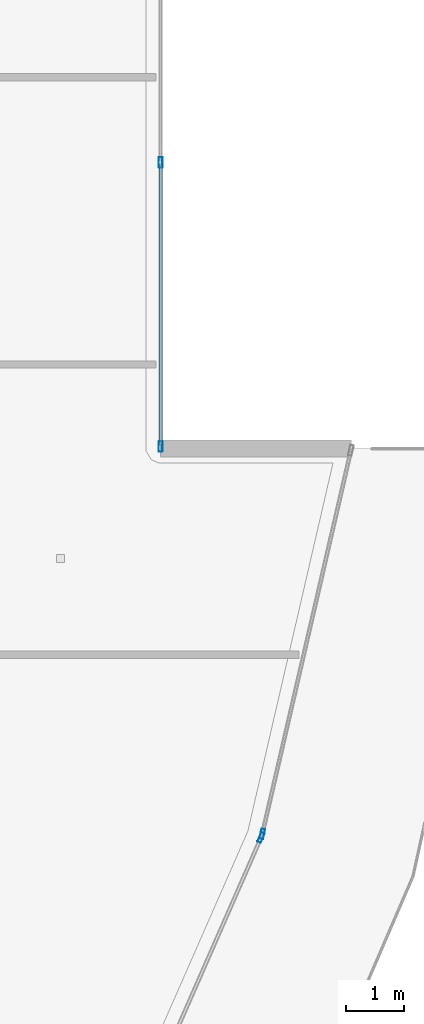
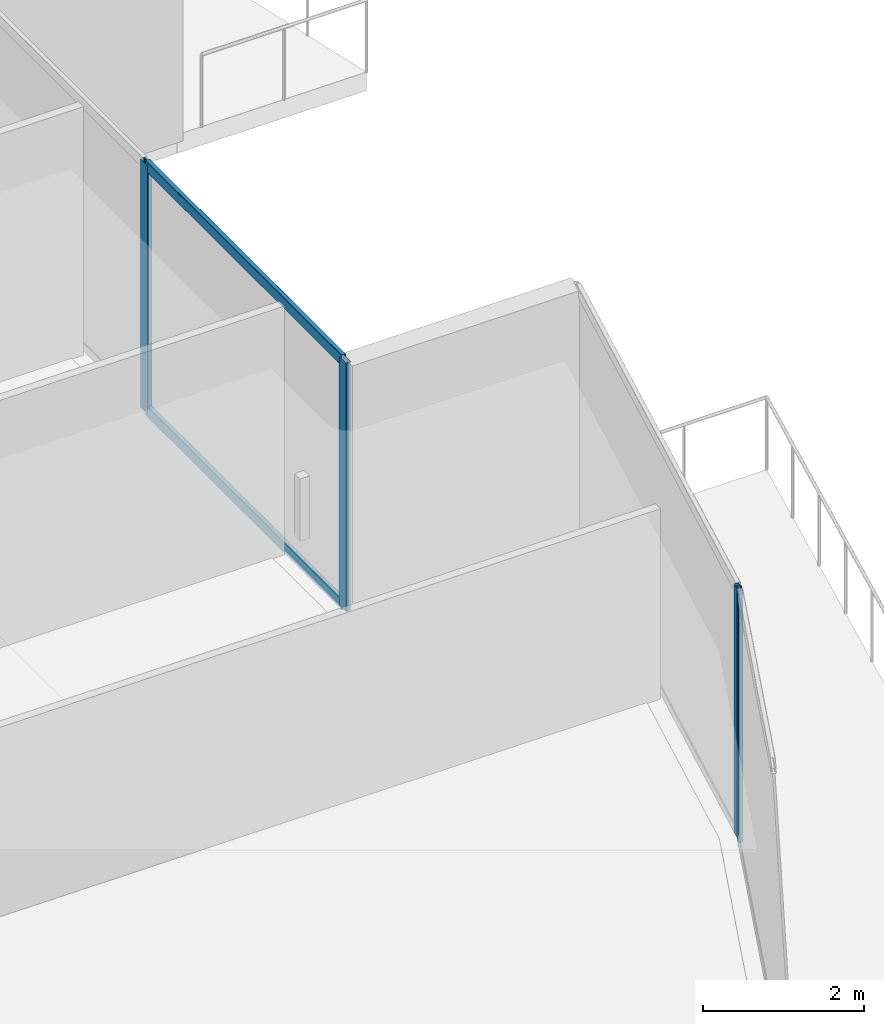
# One storey, part 12 of 42: 6 members, 3 elements without a shape of their own.
"""IFC4 building model written with IfcOpenShell, lengths in metres."""

from ifc_helpers import new_model, si_unit, direction, frame, origin, origin_2d, place, context, subcontext, project, spatial, hollow_rectangle, extrude, material, layer, layer_set, material_profile, profile_set, type_object, element, aggregate, save


model = new_model("IFC4")

# Units and contexts
model_context = context("Model", 3, precision=1e-05, world=origin(), true_north=direction((0.0, 1.0)))
body_context = subcontext(model_context, "Body", "Model", "MODEL_VIEW")
ifc_project = project(units=[si_unit("LENGTHUNIT", "METRE"), si_unit("AREAUNIT", "SQUARE_METRE"), si_unit("VOLUMEUNIT", "CUBIC_METRE"), si_unit("PLANEANGLEUNIT", "RADIAN"), si_unit("MASSUNIT", "GRAM", prefix="KILO")], contexts=[model_context])

# Site, building, storey
site_placement = place(None, origin())
site = spatial("IfcSite", under=ifc_project, at=site_placement, CompositionType="ELEMENT")
building_placement = place(site_placement, origin())
building = spatial("IfcBuilding", under=site, at=building_placement, Name="Qorvath Tower", CompositionType="ELEMENT")
storey_placement = place(building_placement, frame((0.0, 0.0, 121.949951171875)))
storey = spatial("IfcBuildingStorey", under=building, at=storey_placement, Name="L27", CompositionType="ELEMENT", Elevation=121.949951171875)

# Curtain wall, member
ifc_material_1 = material(Name="Anodised aluminium and triple low-E glass", Category="aluminium")
ifc_layer = layer(ifc_material_1, 0.179931640625)
ifc_layer_set = layer_set([ifc_layer], Name="CW-SYS-2")
curtain_wall_type = type_object("IfcCurtainWallType", Name="CW-SYS-2", PredefinedType="NOTDEFINED", material=ifc_layer_set)
curtain_wall_1_placement = place(storey_placement, origin())
curtain_wall_1 = element("IfcCurtainWall", 1, at=curtain_wall_1_placement, inside=storey, type_object=curtain_wall_type, Name="Curtain Wall CW-2 CW-T-L27-6.1", PredefinedType="NOTDEFINED")
ifc_material_2 = material(Name="Anodised aluminium 6063-T6", Category="aluminium")
ifc_material_profile_1 = material_profile(ifc_material_2, hollow_rectangle(XDim=0.06494140625, YDim=0.179931640625, WallThickness=0.00341796875, InnerFilletRadius=0.00341796875, OuterFilletRadius=0.007080078125, at=origin_2d()), Name="CWM 180x65")
ifc_profile_set_1 = profile_set([ifc_material_profile_1], Name="Anodised aluminium 6063-T6")
member_type_1 = type_object("IfcMemberType", Name="CWM-180", PredefinedType="MULLION", material=ifc_profile_set_1)
member_1_placement = place(storey_placement, frame((3.13134765625, -11.721923828125, 0.0), z_axis=(0.0, 0.0, 1.0), x_axis=(-0.915793818987, 0.401648703602, 0.0)))
member_1 = element("IfcMember", 2, at=member_1_placement, type_object=member_type_1, Name="CW-2 mullion 2", PredefinedType="MULLION", context=body_context, shape_type="SweptSolid", body=[
    extrude(hollow_rectangle(XDim=0.06494140625, YDim=0.179931640625, WallThickness=0.00341796875, InnerFilletRadius=0.00341796875, OuterFilletRadius=0.007080078125, at=origin_2d()), origin(), (0.0, 0.0, 1.0), 3.77001953125),
])
aggregate(curtain_wall_1, [member_1])

curtain_wall_2_placement = place(storey_placement, origin())
curtain_wall_2 = element("IfcCurtainWall", 3, at=curtain_wall_2_placement, inside=storey, type_object=curtain_wall_type, Name="Curtain Wall CW-2 CW-T-L27-7.1", PredefinedType="NOTDEFINED")
member_2_placement = place(storey_placement, frame((3.151611328125, -11.660400390625, 0.0), z_axis=(0.0, 0.0, 1.0), x_axis=(-0.974296356855, 0.225270080166, 0.0)))
member_2 = element("IfcMember", 4, at=member_2_placement, type_object=member_type_1, Name="CW-2 mullion 1", PredefinedType="MULLION", context=body_context, shape_type="SweptSolid", body=[
    extrude(hollow_rectangle(XDim=0.06494140625, YDim=0.179931640625, WallThickness=0.00341796875, InnerFilletRadius=0.00341796875, OuterFilletRadius=0.007080078125, at=origin_2d()), origin(), (0.0, 0.0, 1.0), 3.77001953125),
])
aggregate(curtain_wall_2, [member_2])

# Curtain wall, members
curtain_wall_3_placement = place(storey_placement, origin())
curtain_wall_3 = element("IfcCurtainWall", 5, at=curtain_wall_3_placement, inside=storey, type_object=curtain_wall_type, Name="Curtain Wall CW-2 CW-T-L27-9.1", PredefinedType="NOTDEFINED")
member_3_placement = place(storey_placement, frame((1.386962890625, -4.935546875, 0.0), z_axis=(0.0, 0.0, 1.0), x_axis=(-1.0, 0.0, 0.0)))
member_3 = element("IfcMember", 6, at=member_3_placement, type_object=member_type_1, Name="CW-2 mullion 1", PredefinedType="MULLION", context=body_context, shape_type="SweptSolid", body=[
    extrude(hollow_rectangle(XDim=0.06494140625, YDim=0.179931640625, WallThickness=0.00341796875, InnerFilletRadius=0.00341796875, OuterFilletRadius=0.007080078125, at=origin_2d()), origin(), (0.0, 0.0, 1.0), 3.77001953125),
])
member_4_placement = place(storey_placement, frame((1.386962890625, 0.0, 0.0), z_axis=(0.0, 0.0, 1.0), x_axis=(-1.0, 0.0, 0.0)))
member_4 = element("IfcMember", 7, at=member_4_placement, type_object=member_type_1, Name="CW-2 mullion 2", PredefinedType="MULLION", context=body_context, shape_type="SweptSolid", body=[
    extrude(hollow_rectangle(XDim=0.06494140625, YDim=0.179931640625, WallThickness=0.00341796875, InnerFilletRadius=0.00341796875, OuterFilletRadius=0.007080078125, at=origin_2d()), origin(), (0.0, 0.0, 1.0), 3.77001953125),
])
ifc_material_3 = material(Name="Anodised aluminium 6063-T6", Category="aluminium")
ifc_material_profile_2 = material_profile(ifc_material_3, hollow_rectangle(XDim=0.06494140625, YDim=0.159912109375, WallThickness=0.00341796875, InnerFilletRadius=0.00341796875, OuterFilletRadius=0.007080078125, at=origin_2d()), Name="CWT 160x65")
ifc_profile_set_2 = profile_set([ifc_material_profile_2], Name="Anodised aluminium 6063-T6")
member_type_2 = type_object("IfcMemberType", Name="CWT-160", PredefinedType="USERDEFINED", material=ifc_profile_set_2)
member_5_placement = place(storey_placement, frame((1.386962890625, -4.903076171875, 0.032470703125), z_axis=(0.0, 1.0, 0.0), x_axis=(-1.0, 0.0, 0.0)))
member_5 = element("IfcMember", 8, at=member_5_placement, type_object=member_type_2, Name="CW-2 transom 1.1", ObjectType="TRANSOM", PredefinedType="USERDEFINED", context=body_context, shape_type="SweptSolid", body=[
    extrude(hollow_rectangle(XDim=0.06494140625, YDim=0.159912109375, WallThickness=0.00341796875, InnerFilletRadius=0.00341796875, OuterFilletRadius=0.007080078125, at=origin_2d()), origin(), (0.0, 0.0, 1.0), 4.87060546875),
])
member_6_placement = place(storey_placement, frame((1.386962890625, -4.903076171875, 3.737548828125), z_axis=(0.0, 1.0, 0.0), x_axis=(-1.0, 0.0, 0.0)))
member_6 = element("IfcMember", 9, at=member_6_placement, type_object=member_type_2, Name="CW-2 transom 1.2", ObjectType="TRANSOM", PredefinedType="USERDEFINED", context=body_context, shape_type="SweptSolid", body=[
    extrude(hollow_rectangle(XDim=0.06494140625, YDim=0.159912109375, WallThickness=0.00341796875, InnerFilletRadius=0.00341796875, OuterFilletRadius=0.007080078125, at=origin_2d()), origin(), (0.0, 0.0, 1.0), 4.87060546875),
])
aggregate(curtain_wall_3, [member_3, member_4, member_5, member_6])

save(model, "model.ifc")
